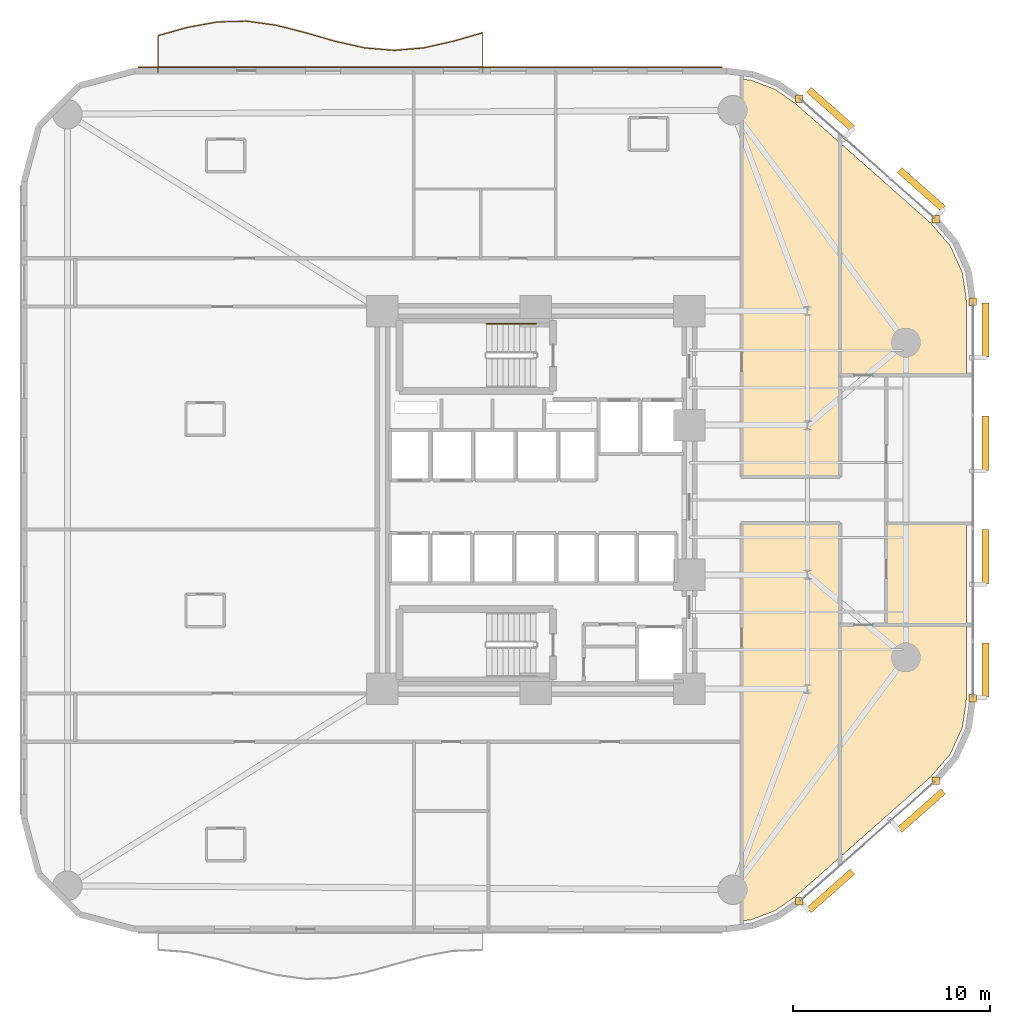
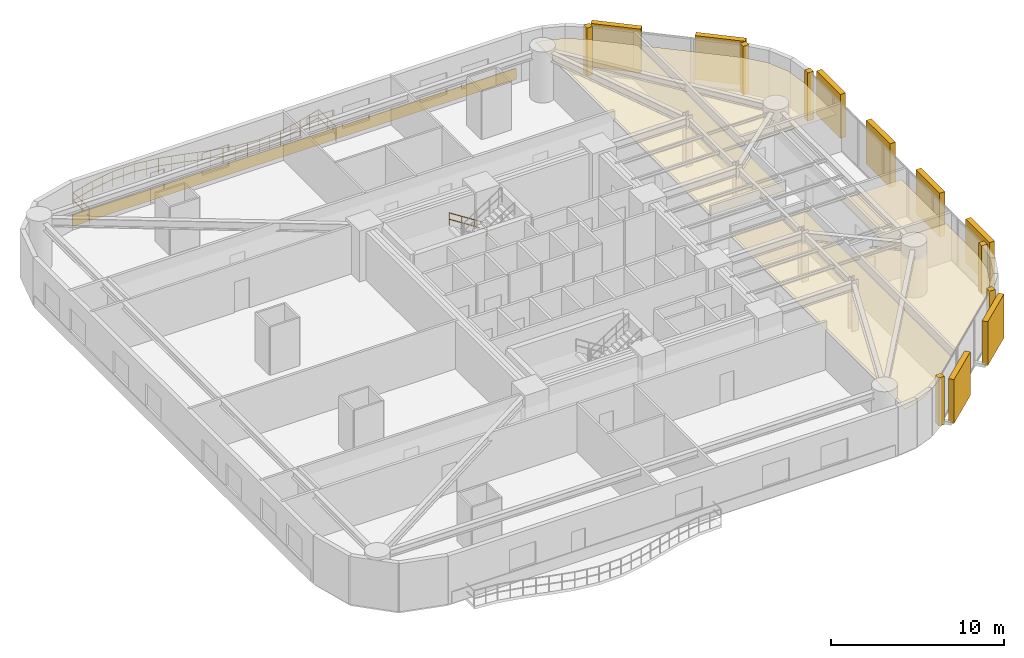
# One storey, part 16 of 16: 12 coverings, 8 shading devices, 2 railings.
"""IFC4 building model written with IfcOpenShell, lengths in metres."""

from ifc_helpers import new_model, si_unit, direction, frame, origin, origin_2d, place, context, subcontext, project, spatial, polyline, rectangle, circle, outline, extrude, material, layer, layer_set, type_object, element, save


model = new_model("IFC4")

# Units and contexts
model_context = context("Model", 3, precision=1e-05, world=origin(), true_north=direction((0.0, 1.0)))
body_context = subcontext(model_context, "Body", "Model", "MODEL_VIEW")
ifc_project = project(units=[si_unit("LENGTHUNIT", "METRE"), si_unit("AREAUNIT", "SQUARE_METRE"), si_unit("VOLUMEUNIT", "CUBIC_METRE"), si_unit("PLANEANGLEUNIT", "RADIAN"), si_unit("MASSUNIT", "GRAM", prefix="KILO")], contexts=[model_context])

# Site, building, storey
site_placement = place(None, origin())
site = spatial("IfcSite", under=ifc_project, at=site_placement, CompositionType="ELEMENT")
building_placement = place(site_placement, origin())
building = spatial("IfcBuilding", under=site, at=building_placement, Name="An Khanh Terracotta Commons", CompositionType="ELEMENT")
storey_placement = place(building_placement, frame((0.0, 0.0, 54.0)))
storey = spatial("IfcBuildingStorey", under=building, at=storey_placement, Name="L14", CompositionType="ELEMENT", Elevation=54.0)

# Coverings
ifc_material_1 = material(Name="Perforated Mineral-Fibre Acoustic Tile")
ifc_layer_1 = layer(ifc_material_1, 0.02001953125, Name="Perforated Mineral-Fibre Acoustic Tile")
ifc_layer_set_1 = layer_set([ifc_layer_1], Name="Perforated Mineral-Fibre Acoustic Tile")
covering_type_1 = type_object("IfcCoveringType", Name="CEIL-ACOUSTIC-18", PredefinedType="CEILING", material=ifc_layer_set_1)
covering_1_placement = place(storey_placement, frame((0.0, 0.0, 2.64990234375)))
element("IfcCovering", 1, at=covering_1_placement, inside=storey, type_object=covering_type_1, Name="L14 Academic Seminar Room Ceiling", PredefinedType="CEILING", context=body_context, shape_type="SweptSolid", body=[
    extrude(outline(polyline([(40.340087890625, 45.324951171875), (41.529052734375, 44.875), (42.591064453125, 44.14208984375), (44.85009765625, 42.14404296875), (44.85009765625, 30.35009765625), (44.85009765625, 25.179931640625), (39.85009765625, 25.179931640625), (39.85009765625, 33.820068359375), (39.85009765625, 36.280029296875), (39.85009765625, 45.384033203125), (40.340087890625, 45.324951171875)])), origin(), (0.0, 0.0, 1.0), 0.02001953125),
])
covering_2_placement = place(storey_placement, frame((0.0, 0.0, 2.64990234375)))
element("IfcCovering", 2, at=covering_2_placement, inside=storey, type_object=covering_type_1, Name="L14 Academic Seminar Room Ceiling", PredefinedType="CEILING", context=body_context, shape_type="SweptSolid", body=[
    extrude(outline(polyline([(42.591064453125, 3.85791015625), (41.529052734375, 3.125), (40.340087890625, 2.675048828125), (39.85009765625, 2.615966796875), (39.85009765625, 11.719970703125), (39.85009765625, 14.179931640625), (39.85009765625, 22.820068359375), (44.85009765625, 22.820068359375), (44.85009765625, 17.64990234375), (44.85009765625, 5.85595703125), (42.591064453125, 3.85791015625)])), origin(), (0.0, 0.0, 1.0), 0.02001953125),
])
covering_3_placement = place(storey_placement, frame((0.0, 0.0, 2.64990234375)))
element("IfcCovering", 3, at=covering_3_placement, inside=storey, type_object=covering_type_1, Name="L14 Academic Seminar Room Ceiling", PredefinedType="CEILING", context=body_context, shape_type="SweptSolid", body=[
    extrude(outline(polyline([(49.48095703125, 38.047119140625), (50.458984375, 36.89892578125), (51.069091796875, 35.547119140625), (51.280029296875, 34.053955078125), (51.280029296875, 30.35009765625), (47.199951171875, 30.35009765625), (44.85009765625, 30.35009765625), (44.85009765625, 42.14404296875), (49.48095703125, 38.047119140625)])), origin(), (0.0, 0.0, 1.0), 0.02001953125),
])
covering_4_placement = place(storey_placement, frame((0.0, 0.0, 2.64990234375)))
element("IfcCovering", 4, at=covering_4_placement, inside=storey, type_object=covering_type_1, Name="L14 Academic Seminar Room Ceiling", PredefinedType="CEILING", context=body_context, shape_type="SweptSolid", body=[
    extrude(outline(polyline([(51.280029296875, 13.946044921875), (51.069091796875, 12.452880859375), (50.458984375, 11.10107421875), (49.48095703125, 9.952880859375), (44.85009765625, 5.85595703125), (44.85009765625, 17.64990234375), (47.199951171875, 17.64990234375), (51.280029296875, 17.64990234375), (51.280029296875, 13.946044921875)])), origin(), (0.0, 0.0, 1.0), 0.02001953125),
])
covering_5_placement = place(storey_placement, frame((0.0, 0.0, 2.64990234375)))
element("IfcCovering", 5, at=covering_5_placement, inside=storey, type_object=covering_type_1, Name="L14 Riverfront Study Lounge Ceiling", PredefinedType="CEILING", context=body_context, shape_type="SweptSolid", body=[
    extrude(outline(polyline([(51.280029296875, 17.64990234375), (47.199951171875, 17.64990234375), (47.199951171875, 22.800048828125), (51.280029296875, 22.800048828125), (51.280029296875, 17.64990234375)])), origin(), (0.0, 0.0, 1.0), 0.02001953125),
])
ifc_material_2 = material(Name="Fired Terracotta Rainscreen Cladding", Category="masonry")
ifc_layer_2 = layer(ifc_material_2, 0.080078125, Name="Fired Terracotta Rainscreen Cladding")
ifc_layer_set_2 = layer_set([ifc_layer_2], Name="Fired Terracotta Rainscreen Cladding")
covering_type_2 = type_object("IfcCoveringType", Name="COV-JAMB-TERRA", PredefinedType="CLADDING", material=ifc_layer_set_2)
for number, where, z_axis, x_axis, name in (
    (6, (42.7890625, 3.60595703125, 0.0), (0.0, 0.0, 1.0), (1.0, 0.0, 0.0), "L14 CW-02 Curtain-Wall Jamb Closure JA"),
    (7, (49.7099609375, 9.72802734375, 0.0), (0.0, 0.0, 1.0), (1.0, 0.0, 0.0), "L14 CW-02 Curtain-Wall Jamb Closure JB"),
    (8, (51.60009765625, 13.923095703125, 0.0), (0.0, 0.0, 1.0), (1.0, 0.0, 0.0), "L14 CW-02 Curtain-Wall Jamb Closure JA"),
    (9, (51.60009765625, 34.076904296875, 0.0), (0.0, 0.0, 1.0), (1.0, 0.0, 0.0), "L14 CW-02 Curtain-Wall Jamb Closure JB"),
    (10, (49.7099609375, 38.27197265625, 0.0), (0.0, 0.0, 1.0), (1.0, 0.0, 0.0), "L14 CW-02 Curtain-Wall Jamb Closure JA"),
    (11, (42.7890625, 44.39404296875, 0.0), (0.0, 0.0, 1.0), (1.0, 0.0, 0.0), "L14 CW-02 Curtain-Wall Jamb Closure JB"),
):
    element("IfcCovering", number, at=place(storey_placement, frame(where, z_axis=z_axis, x_axis=x_axis)), inside=storey, type_object=covering_type_2, Name=name, PredefinedType="CLADDING", context=body_context, shape_type="SweptSolid", body=[
        extrude(rectangle(XDim=0.3798828125, YDim=0.3798828125, at=origin_2d()), origin(), (0.0, 0.0, 1.0), 3.39990234375),
    ])
ifc_layer_3 = layer(ifc_material_2, 0.06005859375, Name="Fired Terracotta Rainscreen Cladding")
ifc_layer_set_3 = layer_set([ifc_layer_3], Name="Fired Terracotta Rainscreen Cladding")
covering_type_3 = type_object("IfcCoveringType", Name="COV-SPANDREL-TERRA", PredefinedType="CLADDING", material=ifc_layer_set_3)
covering_6_placement = place(storey_placement, frame((24.0400390625, 45.97998046875, 0.02001953125), z_axis=(0.0, 0.0, 1.0), x_axis=(-1.0, 0.0, 0.0)))
element("IfcCovering", 12, at=covering_6_placement, inside=storey, type_object=covering_type_3, Name="L14 Terracotta Spandrel Cladding 20", PredefinedType="CLADDING", context=body_context, shape_type="SweptSolid", body=[
    extrude(rectangle(XDim=29.678955078125, YDim=0.06005859375, at=origin_2d()), origin(), (0.0, 0.0, 1.0), 0.800048828125),
])

# Railings
ifc_material_3 = material(Name="Brushed Stainless Steel 316", Category="steel")
railing_type_1 = type_object("IfcRailingType", Name="RAIL-BALUSTRADE-1100", PredefinedType="BALUSTRADE", material=ifc_material_3)
railing_1_placement = place(storey_placement, frame((26.699951171875, 45.739990234375, 0.0)))
element("IfcRailing", 13, at=railing_1_placement, inside=storey, type_object=railing_type_1, Name="L14 N Wave Balcony Guard Balustrade", PredefinedType="BALUSTRADE", context=body_context, shape_type="SweptSolid", body=[
    extrude(circle(Radius=0.02392578125, at=origin_2d()), frame((0.0, 0.0, 1.076171875), z_axis=(0.0, 1.0, 0.0), x_axis=(-1.0, 0.0, 0.0)), (0.0, 0.0, 1.0), 1.99609375),
    extrude(circle(Radius=0.02392578125, at=origin_2d()), frame((0.0, 0.0, 0.52587890625), z_axis=(0.0, 1.0, 0.0), x_axis=(-1.0, 0.0, 0.0)), (0.0, 0.0, 1.0), 1.99609375),
    extrude(circle(Radius=0.02392578125, at=origin_2d()), frame((0.0, 1.99609375, 1.076171875), z_axis=(-0.960753088359, -0.277404944458, 0.0), x_axis=(0.277404944458, -0.960753088359, 0.0)), (0.0, 0.0, 1.0), 1.561279296875),
    extrude(circle(Radius=0.02392578125, at=origin_2d()), frame((0.0, 1.99609375, 0.52587890625), z_axis=(-0.960753088359, -0.277404944458, 0.0), x_axis=(0.277404944458, -0.960753088359, 0.0)), (0.0, 0.0, 1.0), 1.561279296875),
    extrude(circle(Radius=0.02392578125, at=origin_2d()), frame((-1.5, 1.56298828125, 1.076171875), z_axis=(-0.975691310659, -0.21914941548, 0.0), x_axis=(0.21914941548, -0.975691310659, 0.0)), (0.0, 0.0, 1.0), 1.537353515625),
    extrude(circle(Radius=0.02392578125, at=origin_2d()), frame((-1.5, 1.56298828125, 0.52587890625), z_axis=(-0.975691310659, -0.21914941548, 0.0), x_axis=(0.21914941548, -0.975691310659, 0.0)), (0.0, 0.0, 1.0), 1.537353515625),
    extrude(circle(Radius=0.02392578125, at=origin_2d()), frame((-3.0, 1.22607421875, 1.076171875), z_axis=(-0.996491859681, -0.083689746028, 0.0), x_axis=(0.083689746028, -0.996491859681, 0.0)), (0.0, 0.0, 1.0), 1.50537109375),
    extrude(circle(Radius=0.02392578125, at=origin_2d()), frame((-3.0, 1.22607421875, 0.52587890625), z_axis=(-0.996491859681, -0.083689746028, 0.0), x_axis=(0.083689746028, -0.996491859681, 0.0)), (0.0, 0.0, 1.0), 1.50537109375),
    extrude(circle(Radius=0.02392578125, at=origin_2d()), frame((-4.5, 1.10009765625, 1.076171875), z_axis=(-0.996491859681, 0.083689746028, 0.0), x_axis=(-0.083689746028, -0.996491859681, 0.0)), (0.0, 0.0, 1.0), 1.50537109375),
    extrude(circle(Radius=0.02392578125, at=origin_2d()), frame((-4.5, 1.10009765625, 0.52587890625), z_axis=(-0.996491859681, 0.083689746028, 0.0), x_axis=(-0.083689746028, -0.996491859681, 0.0)), (0.0, 0.0, 1.0), 1.50537109375),
    extrude(circle(Radius=0.02392578125, at=origin_2d()), frame((-6.0, 1.22607421875, 1.076171875), z_axis=(-0.975691310659, 0.21914941548, 0.0), x_axis=(-0.21914941548, -0.975691310659, 0.0)), (0.0, 0.0, 1.0), 1.537353515625),
    extrude(circle(Radius=0.02392578125, at=origin_2d()), frame((-6.0, 1.22607421875, 0.52587890625), z_axis=(-0.975691310659, 0.21914941548, 0.0), x_axis=(-0.21914941548, -0.975691310659, 0.0)), (0.0, 0.0, 1.0), 1.537353515625),
    extrude(circle(Radius=0.02392578125, at=origin_2d()), frame((-7.5, 1.56298828125, 1.076171875), z_axis=(-0.960753088359, 0.277404944458, 0.0), x_axis=(-0.277404944458, -0.960753088359, 0.0)), (0.0, 0.0, 1.0), 1.561279296875),
    extrude(circle(Radius=0.02392578125, at=origin_2d()), frame((-7.5, 1.56298828125, 0.52587890625), z_axis=(-0.960753088359, 0.277404944458, 0.0), x_axis=(-0.277404944458, -0.960753088359, 0.0)), (0.0, 0.0, 1.0), 1.561279296875),
    extrude(circle(Radius=0.02392578125, at=origin_2d()), frame((-9.0, 1.99609375, 1.076171875), z_axis=(-0.968754262999, 0.248022535107, 0.0), x_axis=(-0.248022535107, -0.968754262999, 0.0)), (0.0, 0.0, 1.0), 1.54833984375),
    extrude(circle(Radius=0.02392578125, at=origin_2d()), frame((-9.0, 1.99609375, 0.52587890625), z_axis=(-0.968754262999, 0.248022535107, 0.0), x_axis=(-0.248022535107, -0.968754262999, 0.0)), (0.0, 0.0, 1.0), 1.54833984375),
    extrude(circle(Radius=0.02392578125, at=origin_2d()), frame((-10.5, 2.380126953125, 1.076171875), z_axis=(-0.990717967649, 0.135933471147, 0.0), x_axis=(-0.135933471147, -0.990717967649, 0.0)), (0.0, 0.0, 1.0), 1.51416015625),
    extrude(circle(Radius=0.02392578125, at=origin_2d()), frame((-10.5, 2.380126953125, 0.52587890625), z_axis=(-0.990717967649, 0.135933471147, 0.0), x_axis=(-0.135933471147, -0.990717967649, 0.0)), (0.0, 0.0, 1.0), 1.51416015625),
    extrude(circle(Radius=0.02392578125, at=origin_2d()), frame((-12.0, 2.5859375, 1.076171875), z_axis=(-0.999589960453, -0.028634087409, 0.0), x_axis=(0.028634087409, -0.999589960453, 0.0)), (0.0, 0.0, 1.0), 1.500732421875),
    extrude(circle(Radius=0.02392578125, at=origin_2d()), frame((-12.0, 2.5859375, 0.52587890625), z_axis=(-0.999589960453, -0.028634087409, 0.0), x_axis=(0.028634087409, -0.999589960453, 0.0)), (0.0, 0.0, 1.0), 1.500732421875),
    extrude(circle(Radius=0.02392578125, at=origin_2d()), frame((-13.5, 2.54296875, 1.076171875), z_axis=(-0.983504185039, -0.180885372574, 0.0), x_axis=(0.180885372574, -0.983504185039, 0.0)), (0.0, 0.0, 1.0), 1.525146484375),
    extrude(circle(Radius=0.02392578125, at=origin_2d()), frame((-13.5, 2.54296875, 0.52587890625), z_axis=(-0.983504185039, -0.180885372574, 0.0), x_axis=(0.180885372574, -0.983504185039, 0.0)), (0.0, 0.0, 1.0), 1.525146484375),
    extrude(circle(Radius=0.02392578125, at=origin_2d()), frame((-15.0, 2.26708984375, 1.076171875), z_axis=(-0.963463971294, -0.267837965978, 0.0), x_axis=(0.267837965978, -0.963463971294, 0.0)), (0.0, 0.0, 1.0), 1.556884765625),
    extrude(circle(Radius=0.02392578125, at=origin_2d()), frame((-15.0, 2.26708984375, 0.52587890625), z_axis=(-0.963463971294, -0.267837965978, 0.0), x_axis=(0.267837965978, -0.963463971294, 0.0)), (0.0, 0.0, 1.0), 1.556884765625),
    extrude(circle(Radius=0.02392578125, at=origin_2d()), frame((-16.5, 1.85009765625, 1.076171875), z_axis=(0.0, -1.0, 0.0), x_axis=(1.0, 0.0, 0.0)), (0.0, 0.0, 1.0), 1.85009765625),
    extrude(circle(Radius=0.02392578125, at=origin_2d()), frame((-16.5, 1.85009765625, 0.52587890625), z_axis=(0.0, -1.0, 0.0), x_axis=(1.0, 0.0, 0.0)), (0.0, 0.0, 1.0), 1.85009765625),
    extrude(circle(Radius=0.02099609375, at=origin_2d()), origin(), (0.0, 0.0, 1.0), 1.052001953125),
    extrude(circle(Radius=0.02099609375, at=origin_2d()), frame((0.0, 0.998046875, 0.0)), (0.0, 0.0, 1.0), 1.052001953125),
    extrude(circle(Radius=0.02099609375, at=origin_2d()), frame((0.0, 1.99609375, 0.0)), (0.0, 0.0, 1.0), 1.052001953125),
    extrude(circle(Radius=0.02099609375, at=origin_2d()), frame((-0.75, 1.779541015625, 0.0)), (0.0, 0.0, 1.0), 1.052001953125),
    extrude(circle(Radius=0.02099609375, at=origin_2d()), frame((-1.5, 1.56298828125, 0.0)), (0.0, 0.0, 1.0), 1.052001953125),
    extrude(circle(Radius=0.02099609375, at=origin_2d()), frame((-2.25, 1.39453125, 0.0)), (0.0, 0.0, 1.0), 1.052001953125),
    extrude(circle(Radius=0.02099609375, at=origin_2d()), frame((-3.0, 1.22607421875, 0.0)), (0.0, 0.0, 1.0), 1.052001953125),
    extrude(circle(Radius=0.02099609375, at=origin_2d()), frame((-3.75, 1.1630859375, 0.0)), (0.0, 0.0, 1.0), 1.052001953125),
    extrude(circle(Radius=0.02099609375, at=origin_2d()), frame((-4.5, 1.10009765625, 0.0)), (0.0, 0.0, 1.0), 1.052001953125),
    extrude(circle(Radius=0.02099609375, at=origin_2d()), frame((-5.25, 1.1630859375, 0.0)), (0.0, 0.0, 1.0), 1.052001953125),
    extrude(circle(Radius=0.02099609375, at=origin_2d()), frame((-6.0, 1.22607421875, 0.0)), (0.0, 0.0, 1.0), 1.052001953125),
    extrude(circle(Radius=0.02099609375, at=origin_2d()), frame((-6.75, 1.39453125, 0.0)), (0.0, 0.0, 1.0), 1.052001953125),
    extrude(circle(Radius=0.02099609375, at=origin_2d()), frame((-7.5, 1.56298828125, 0.0)), (0.0, 0.0, 1.0), 1.052001953125),
    extrude(circle(Radius=0.02099609375, at=origin_2d()), frame((-8.25, 1.779541015625, 0.0)), (0.0, 0.0, 1.0), 1.052001953125),
    extrude(circle(Radius=0.02099609375, at=origin_2d()), frame((-9.0, 1.99609375, 0.0)), (0.0, 0.0, 1.0), 1.052001953125),
    extrude(circle(Radius=0.02099609375, at=origin_2d()), frame((-9.75, 2.18798828125, 0.0)), (0.0, 0.0, 1.0), 1.052001953125),
    extrude(circle(Radius=0.02099609375, at=origin_2d()), frame((-10.5, 2.380126953125, 0.0)), (0.0, 0.0, 1.0), 1.052001953125),
    extrude(circle(Radius=0.02099609375, at=origin_2d()), frame((-11.25, 2.48291015625, 0.0)), (0.0, 0.0, 1.0), 1.052001953125),
    extrude(circle(Radius=0.02099609375, at=origin_2d()), frame((-12.0, 2.5859375, 0.0)), (0.0, 0.0, 1.0), 1.052001953125),
    extrude(circle(Radius=0.02099609375, at=origin_2d()), frame((-12.75, 2.564453125, 0.0)), (0.0, 0.0, 1.0), 1.052001953125),
    extrude(circle(Radius=0.02099609375, at=origin_2d()), frame((-13.5, 2.54296875, 0.0)), (0.0, 0.0, 1.0), 1.052001953125),
    extrude(circle(Radius=0.02099609375, at=origin_2d()), frame((-14.25, 2.405029296875, 0.0)), (0.0, 0.0, 1.0), 1.052001953125),
    extrude(circle(Radius=0.02099609375, at=origin_2d()), frame((-15.0, 2.26708984375, 0.0)), (0.0, 0.0, 1.0), 1.052001953125),
    extrude(circle(Radius=0.02099609375, at=origin_2d()), frame((-15.75, 2.05859375, 0.0)), (0.0, 0.0, 1.0), 1.052001953125),
    extrude(circle(Radius=0.02099609375, at=origin_2d()), frame((-16.5, 1.85009765625, 0.0)), (0.0, 0.0, 1.0), 1.052001953125),
    extrude(circle(Radius=0.02099609375, at=origin_2d()), frame((-16.5, 0.925048828125, 0.0)), (0.0, 0.0, 1.0), 1.052001953125),
    extrude(circle(Radius=0.02099609375, at=origin_2d()), frame((-16.5, 0.0, 0.0)), (0.0, 0.0, 1.0), 1.052001953125),
])
railing_type_2 = type_object("IfcRailingType", Name="RAIL-HANDRAIL-900", PredefinedType="HANDRAIL", material=ifc_material_3)
railing_2_placement = place(storey_placement, frame((29.409912109375, 32.949951171875, 0.179931640625)))
element("IfcRailing", 14, at=railing_2_placement, inside=storey, type_object=railing_type_2, Name="L14 ST-01 stair handrail 1", PredefinedType="HANDRAIL", context=body_context, shape_type="SweptSolid", body=[
    extrude(circle(Radius=0.02392578125, at=origin_2d()), frame((0.0, 0.0, 0.8759765625), z_axis=(-0.841162588446, 0.0, 0.540782303519), x_axis=(0.0, -1.0, 0.0)), (0.0, 0.0, 1.0), 2.995849609375),
    extrude(circle(Radius=0.02392578125, at=origin_2d()), frame((0.0, 0.0, 0.42578125), z_axis=(-0.841162588446, 0.0, 0.540782303519), x_axis=(0.0, -1.0, 0.0)), (0.0, 0.0, 1.0), 2.995849609375),
    extrude(circle(Radius=0.02099609375, at=origin_2d()), origin(), (0.0, 0.0, 1.0), 0.851806640625),
    extrude(circle(Radius=0.02099609375, at=origin_2d()), frame((-0.840087890625, 0.0, 0.5400390625)), (0.0, 0.0, 1.0), 0.851806640625),
    extrude(circle(Radius=0.02099609375, at=origin_2d()), frame((-1.679931640625, 0.0, 1.080078125)), (0.0, 0.0, 1.0), 0.851806640625),
    extrude(circle(Radius=0.02099609375, at=origin_2d()), frame((-2.52001953125, 0.0, 1.6201171875)), (0.0, 0.0, 1.0), 0.851806640625),
])

# Shading devices
ifc_material_4 = material(Name="Extruded Fired Terracotta", Category="masonry")
shading_device_type = type_object("IfcShadingDeviceType", Name="Terracotta Baguette Screen Assembly", PredefinedType="USERDEFINED", material=ifc_material_4)
for number, where, z_axis, x_axis, name in (
    (15, (44.373046875, 4.138916015625, 0.14990234375), (0.0, 0.0, 1.0), (0.749019284633, 0.662548195415, 0.0), "L14 Terracotta Baguette Screen 1"),
    (16, (48.987060546875, 8.220947265625, 0.14990234375), (0.0, 0.0, 1.0), (0.749019284633, 0.662548195415, 0.0), "L14 Terracotta Baguette Screen 3"),
):
    element("IfcShadingDevice", number, at=place(storey_placement, frame(where, z_axis=z_axis, x_axis=x_axis)), inside=storey, type_object=shading_device_type, Name=name, ObjectType="BAGUETTE", PredefinedType="USERDEFINED", context=body_context, shape_type="SweptSolid", body=[
        extrude(rectangle(XDim=2.9599609375, YDim=0.35009765625, at=origin_2d()), origin(), (0.0, 0.0, 1.0), 3.10009765625),
    ])
for number, where, z_axis, x_axis, name in (
    (17, (52.25, 15.363037109375, 0.14990234375), (0.0, 0.0, 1.0), (0.0, 1.0, 0.0), "L14 Terracotta Baguette Screen 1"),
    (18, (52.25, 21.12109375, 0.14990234375), (0.0, 0.0, 1.0), (0.0, 1.0, 0.0), "L14 Terracotta Baguette Screen 3"),
    (19, (52.25, 26.87890625, 0.14990234375), (0.0, 0.0, 1.0), (0.0, 1.0, 0.0), "L14 Terracotta Baguette Screen 5"),
    (20, (52.25, 32.636962890625, 0.14990234375), (0.0, 0.0, 1.0), (0.0, 1.0, 0.0), "L14 Terracotta Baguette Screen 7"),
):
    element("IfcShadingDevice", number, at=place(storey_placement, frame(where, z_axis=z_axis, x_axis=x_axis)), inside=storey, type_object=shading_device_type, Name=name, ObjectType="BAGUETTE", PredefinedType="USERDEFINED", context=body_context, shape_type="SweptSolid", body=[
        extrude(rectangle(XDim=2.759033203125, YDim=0.35009765625, at=origin_2d()), origin(), (0.0, 0.0, 1.0), 3.10009765625),
    ])
for number, where, z_axis, x_axis, name in (
    (21, (48.987060546875, 39.779052734375, 0.14990234375), (0.0, 0.0, 1.0), (-0.749019284633, 0.662548195415, 0.0), "L14 Terracotta Baguette Screen 1"),
    (22, (44.373046875, 43.861083984375, 0.14990234375), (0.0, 0.0, 1.0), (-0.749019284633, 0.662548195415, 0.0), "L14 Terracotta Baguette Screen 3"),
):
    element("IfcShadingDevice", number, at=place(storey_placement, frame(where, z_axis=z_axis, x_axis=x_axis)), inside=storey, type_object=shading_device_type, Name=name, ObjectType="BAGUETTE", PredefinedType="USERDEFINED", context=body_context, shape_type="SweptSolid", body=[
        extrude(rectangle(XDim=2.9599609375, YDim=0.35009765625, at=origin_2d()), origin(), (0.0, 0.0, 1.0), 3.10009765625),
    ])

save(model, "model.ifc")
